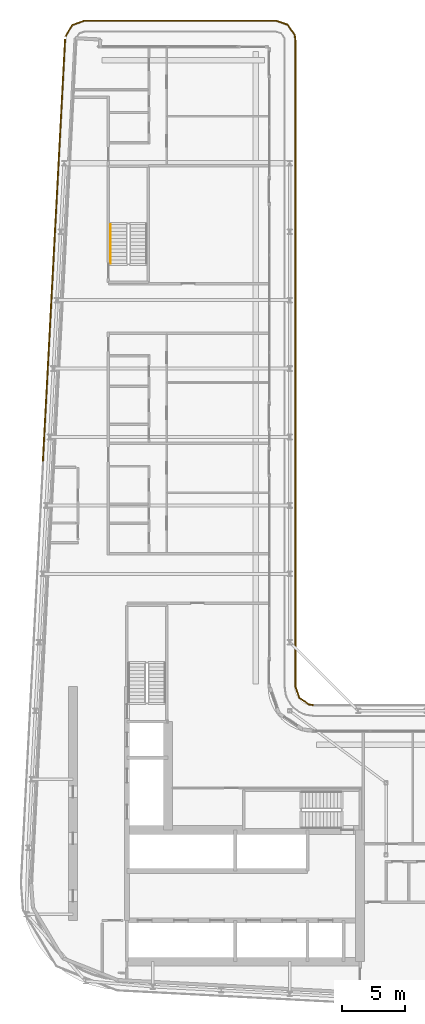
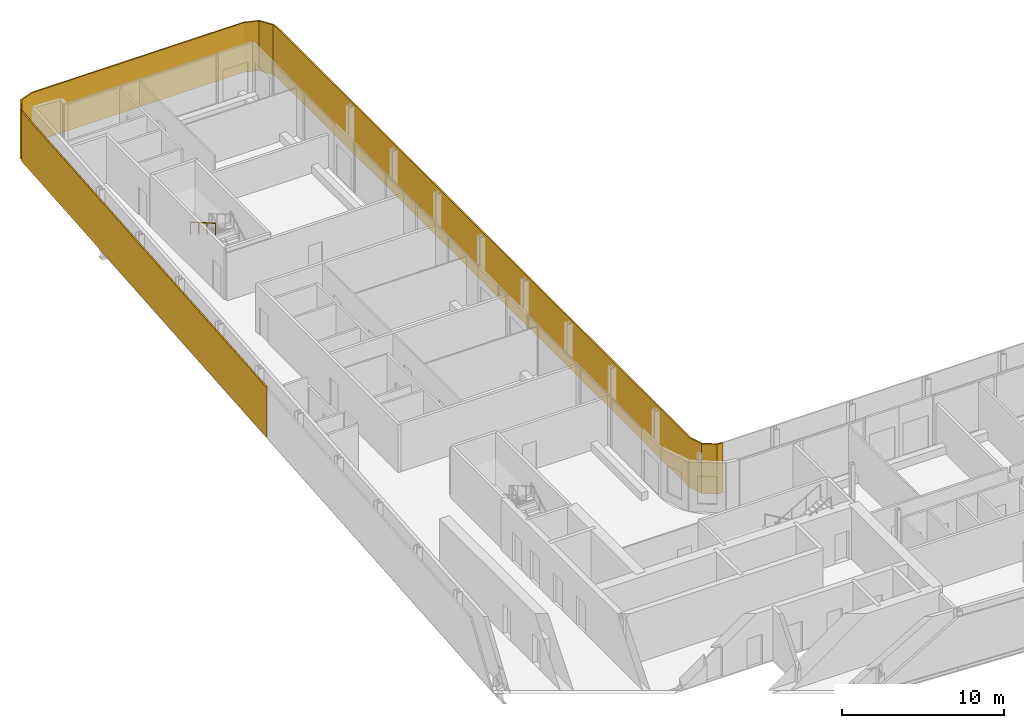
# One storey, part 21 of 23: 2 shading devices, 1 railing.
"""IFC4 building model written with IfcOpenShell, lengths in metres."""

from ifc_helpers import new_model, si_unit, direction, frame, origin, origin_2d, place, context, subcontext, project, spatial, polyline, rectangle, circle, outline, extrude, material, layer, layer_set, type_object, element, save


model = new_model("IFC4")

# Units and contexts
model_context = context("Model", 3, precision=1e-05, world=origin(), true_north=direction((0.0, 1.0)))
body_context = subcontext(model_context, "Body", "Model", "MODEL_VIEW")
ifc_project = project(units=[si_unit("LENGTHUNIT", "METRE"), si_unit("AREAUNIT", "SQUARE_METRE"), si_unit("VOLUMEUNIT", "CUBIC_METRE"), si_unit("PLANEANGLEUNIT", "RADIAN"), si_unit("MASSUNIT", "GRAM", prefix="KILO")], contexts=[model_context])

# Site, building, storey
site_placement = place(None, origin())
site = spatial("IfcSite", under=ifc_project, at=site_placement, CompositionType="ELEMENT")
building_placement = place(site_placement, origin())
building = spatial("IfcBuilding", under=site, at=building_placement, Name="Kheshtan School and Residences Tower", CompositionType="ELEMENT")
storey_placement = place(building_placement, frame((0.0, 0.0, 247.39990234375)))
storey = spatial("IfcBuildingStorey", under=building, at=storey_placement, Name="L58", CompositionType="ELEMENT", Elevation=247.39990234375)

# Shading devices
ifc_material_1 = material(Name="Terracotta baguette, extruded ceramic", Category="masonry")
ifc_layer_1 = layer(ifc_material_1, 0.10009765625)
ifc_layer_set_1 = layer_set([ifc_layer_1], Name="Ledge screen, terracotta baguettes")
shading_device_type_1 = type_object("IfcShadingDeviceType", Name="Ledge screen, terracotta baguettes", PredefinedType="USERDEFINED", material=ifc_layer_set_1)
shading_device_1_placement = place(storey_placement, frame((28.9990234375, 81.93408203125, 0.0), z_axis=(0.0, 0.0, 1.0), x_axis=(0.052562536748, 0.998617634398, 0.0)))
element("IfcShadingDevice", 1, at=shading_device_1_placement, inside=storey, type_object=shading_device_type_1, Name="Screen L58 5", ObjectType="BAGUETTE", PredefinedType="USERDEFINED", context=body_context, shape_type="SweptSolid", body=[
    extrude(rectangle(XDim=33.341064453125, YDim=0.10009765625, at=origin_2d()), origin(), (0.0, 0.0, 1.0), 3.75),
])
ifc_material_2 = material(Name="Terracotta lattice, extruded ceramic", Category="masonry")
ifc_layer_2 = layer(ifc_material_2, 0.10009765625)
ifc_layer_set_2 = layer_set([ifc_layer_2], Name="Loggia screen, terracotta lattice")
shading_device_type_2 = type_object("IfcShadingDeviceType", Name="Loggia screen, terracotta lattice", PredefinedType="USERDEFINED", material=ifc_layer_set_2)
shading_device_2_placement = place(storey_placement, origin())
element("IfcShadingDevice", 2, at=shading_device_2_placement, inside=storey, type_object=shading_device_type_2, Name="Screen L58 1", ObjectType="SCREEN", PredefinedType="USERDEFINED", context=body_context, shape_type="SweptSolid", body=[
    extrude(outline(polyline([(29.949951171875, 98.783935546875), (30.468017578125, 99.656982421875), (31.423095703125, 100.0), (46.5, 100.0), (47.4130859375, 99.68994140625), (47.948974609375, 98.887939453125), (48.0, 98.5), (48.0, 47.5), (48.31005859375, 46.5869140625), (49.112060546875, 46.051025390625), (49.5, 46.0), (49.512939453125, 46.09912109375), (49.14794921875, 46.14697265625), (48.39404296875, 46.65087890625), (48.10009765625, 47.51708984375), (48.10009765625, 98.507080078125), (48.044921875, 98.924072265625), (47.47705078125, 99.77392578125), (46.51708984375, 100.10009765625), (31.406005859375, 100.10009765625), (30.39990234375, 99.739013671875), (29.864013671875, 98.8349609375), (29.949951171875, 98.783935546875)])), origin(), (0.0, 0.0, 1.0), 3.75),
])

# Railing
ifc_material_3 = material(Name="Stainless steel handrail", Category="steel")
railing_type = type_object("IfcRailingType", Name="Stair handrail 900", PredefinedType="HANDRAIL", material=ifc_material_3)
railing_placement = place(storey_placement, frame((33.449951171875, 83.97998046875, 2.112548828125)))
element("IfcRailing", 3, at=railing_placement, inside=storey, type_object=railing_type, Name="L58 ST3 stair handrail 2", PredefinedType="HANDRAIL", context=body_context, shape_type="SweptSolid", body=[
    extrude(circle(Radius=0.02392578125, at=origin_2d()), frame((0.0, 0.0, 0.8759765625), z_axis=(0.0, -0.864890721111, 0.501960198159), x_axis=(1.0, 0.0, 0.0)), (0.0, 0.0, 1.0), 3.561279296875),
    extrude(circle(Radius=0.02099609375, at=origin_2d()), origin(), (0.0, 0.0, 1.0), 0.851806640625),
    extrude(circle(Radius=0.02099609375, at=origin_2d()), frame((0.0, -1.026611328125, 0.595947265625)), (0.0, 0.0, 1.0), 0.851806640625),
    extrude(circle(Radius=0.02099609375, at=origin_2d()), frame((0.0, -2.053466796875, 1.191650390625)), (0.0, 0.0, 1.0), 0.851806640625),
    extrude(circle(Radius=0.02099609375, at=origin_2d()), frame((0.0, -3.080078125, 1.78759765625)), (0.0, 0.0, 1.0), 0.851806640625),
])

save(model, "model.ifc")
